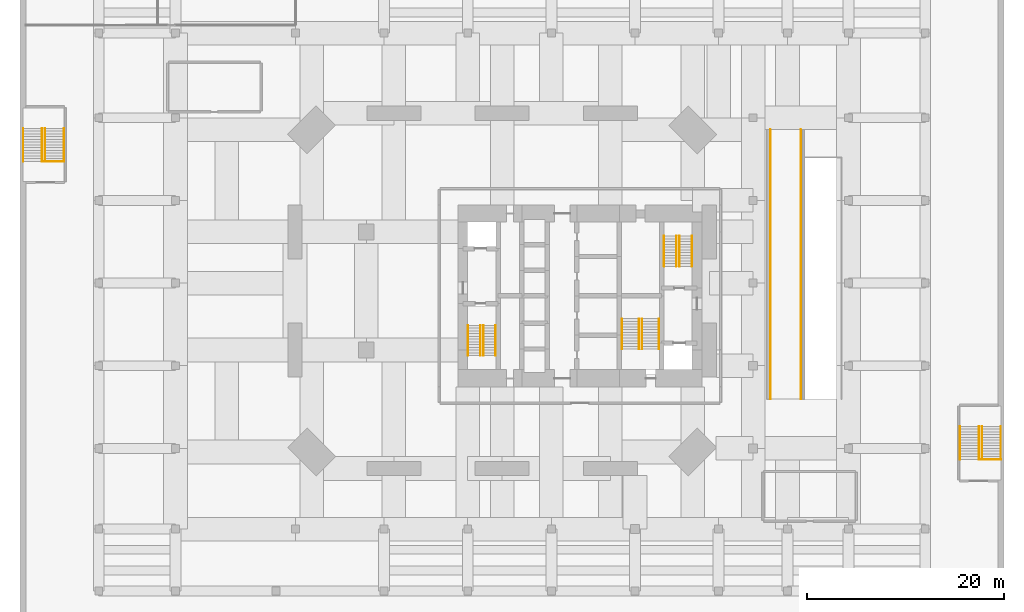
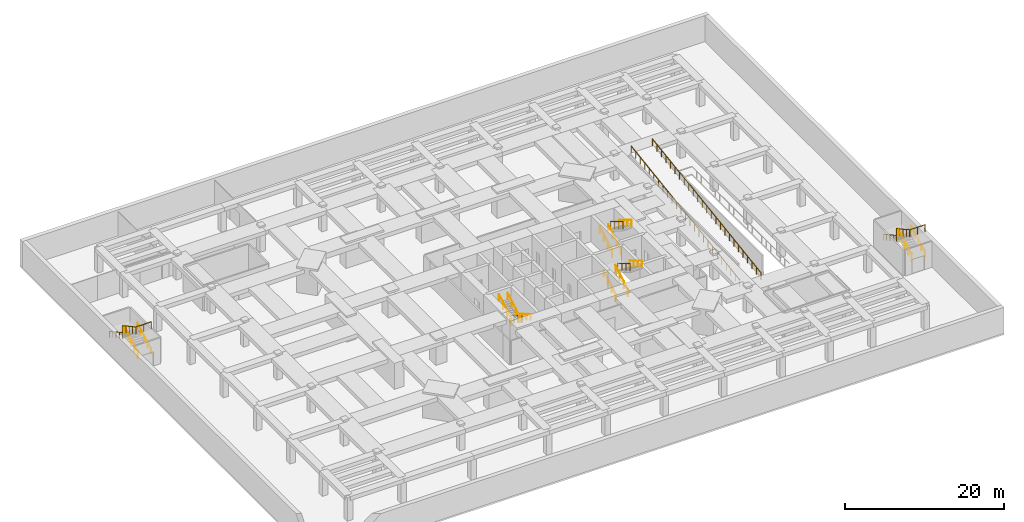
# One storey, part 9 of 10: 24 railings.
"""IFC4 building model written with IfcOpenShell, lengths in metres."""

from ifc_helpers import new_model, si_unit, direction, frame, origin, origin_2d, place, context, subcontext, project, spatial, rectangle, circle, extrude, material, constituent, constituent_set, type_object, element, save


model = new_model("IFC4")

# Units and contexts
model_context = context("Model", 3, precision=1e-05, world=origin(), true_north=direction((0.0, 1.0)))
body_context = subcontext(model_context, "Body", "Model", "MODEL_VIEW")
ifc_project = project(units=[si_unit("LENGTHUNIT", "METRE"), si_unit("AREAUNIT", "SQUARE_METRE"), si_unit("VOLUMEUNIT", "CUBIC_METRE"), si_unit("PLANEANGLEUNIT", "RADIAN"), si_unit("MASSUNIT", "GRAM", prefix="KILO")], contexts=[model_context])

# Site, building, storey
site_placement = place(None, origin())
site = spatial("IfcSite", under=ifc_project, at=site_placement, CompositionType="ELEMENT")
building_placement = place(site_placement, origin())
building = spatial("IfcBuilding", under=site, at=building_placement, Name="Jalousie Tower", CompositionType="ELEMENT")
storey_placement = place(building_placement, frame((0.0, 0.0, -4.0)))
storey = spatial("IfcBuildingStorey", under=building, at=storey_placement, Name="B1", CompositionType="ELEMENT", Elevation=-4.0)

# Railings
ifc_material_1 = material(Name="Steel ASTM A500 Grade C", Category="steel")
ifc_constituent_1 = constituent(ifc_material_1, Name="Body")
ifc_material_2 = material(Name="Hot-dip galvanised zinc coating")
ifc_constituent_2 = constituent(ifc_material_2, Name="Finish")
ifc_constituent_set_1 = constituent_set(constituents=[ifc_constituent_1, ifc_constituent_2])
railing_type_1 = type_object("IfcRailingType", Name="RAMP GUARD 1100", PredefinedType="GUARDRAIL", material=ifc_constituent_set_1)
railing_1_placement = place(storey_placement, frame((51.25, 8.0, 0.0)))
element("IfcRailing", 1, at=railing_1_placement, inside=storey, type_object=railing_type_1, Name="Car ramp 1 edge guard west", PredefinedType="GUARDRAIL", context=body_context, shape_type="SweptSolid", body=[
    extrude(rectangle(XDim=0.048095703125, YDim=0.048095703125, at=origin_2d()), frame((0.0, 0.0, 1.076171875), z_axis=(0.0, 0.989511409472, 0.144454735212), x_axis=(-1.0, 0.0, 0.0)), (0.0, 0.0, 1.0), 27.6904296875),
    extrude(circle(Radius=0.02099609375, at=origin_2d()), origin(), (0.0, 0.0, 1.0), 1.052001953125),
    extrude(circle(Radius=0.02099609375, at=origin_2d()), frame((0.0, 1.1416015625, 0.166748046875)), (0.0, 0.0, 1.0), 1.052001953125),
    extrude(circle(Radius=0.02099609375, at=origin_2d()), frame((0.0, 2.283203125, 0.333251953125)), (0.0, 0.0, 1.0), 1.052001953125),
    extrude(circle(Radius=0.02099609375, at=origin_2d()), frame((0.0, 3.425048828125, 0.5)), (0.0, 0.0, 1.0), 1.052001953125),
    extrude(circle(Radius=0.02099609375, at=origin_2d()), frame((0.0, 4.566650390625, 0.666748046875)), (0.0, 0.0, 1.0), 1.052001953125),
    extrude(circle(Radius=0.02099609375, at=origin_2d()), frame((0.0, 5.708251953125, 0.833251953125)), (0.0, 0.0, 1.0), 1.052001953125),
    extrude(circle(Radius=0.02099609375, at=origin_2d()), frame((0.0, 6.85009765625, 1.0)), (0.0, 0.0, 1.0), 1.052001953125),
    extrude(circle(Radius=0.02099609375, at=origin_2d()), frame((0.0, 7.99169921875, 1.166748046875)), (0.0, 0.0, 1.0), 1.052001953125),
    extrude(circle(Radius=0.02099609375, at=origin_2d()), frame((0.0, 9.13330078125, 1.333251953125)), (0.0, 0.0, 1.0), 1.052001953125),
    extrude(circle(Radius=0.02099609375, at=origin_2d()), frame((0.0, 10.27490234375, 1.5)), (0.0, 0.0, 1.0), 1.052001953125),
    extrude(circle(Radius=0.02099609375, at=origin_2d()), frame((0.0, 11.41650390625, 1.666748046875)), (0.0, 0.0, 1.0), 1.052001953125),
    extrude(circle(Radius=0.02099609375, at=origin_2d()), frame((0.0, 12.558349609375, 1.833251953125)), (0.0, 0.0, 1.0), 1.052001953125),
    extrude(circle(Radius=0.02099609375, at=origin_2d()), frame((0.0, 13.699951171875, 2.0)), (0.0, 0.0, 1.0), 1.052001953125),
    extrude(circle(Radius=0.02099609375, at=origin_2d()), frame((0.0, 14.841552734375, 2.166748046875)), (0.0, 0.0, 1.0), 1.052001953125),
    extrude(circle(Radius=0.02099609375, at=origin_2d()), frame((0.0, 15.9833984375, 2.333251953125)), (0.0, 0.0, 1.0), 1.052001953125),
    extrude(circle(Radius=0.02099609375, at=origin_2d()), frame((0.0, 17.125, 2.5)), (0.0, 0.0, 1.0), 1.052001953125),
    extrude(circle(Radius=0.02099609375, at=origin_2d()), frame((0.0, 18.2666015625, 2.666748046875)), (0.0, 0.0, 1.0), 1.052001953125),
    extrude(circle(Radius=0.02099609375, at=origin_2d()), frame((0.0, 19.408203125, 2.833251953125)), (0.0, 0.0, 1.0), 1.052001953125),
    extrude(circle(Radius=0.02099609375, at=origin_2d()), frame((0.0, 20.5498046875, 3.0)), (0.0, 0.0, 1.0), 1.052001953125),
    extrude(circle(Radius=0.02099609375, at=origin_2d()), frame((0.0, 21.691650390625, 3.166748046875)), (0.0, 0.0, 1.0), 1.052001953125),
    extrude(circle(Radius=0.02099609375, at=origin_2d()), frame((0.0, 22.833251953125, 3.333251953125)), (0.0, 0.0, 1.0), 1.052001953125),
    extrude(circle(Radius=0.02099609375, at=origin_2d()), frame((0.0, 23.974853515625, 3.5)), (0.0, 0.0, 1.0), 1.052001953125),
    extrude(circle(Radius=0.02099609375, at=origin_2d()), frame((0.0, 25.11669921875, 3.666748046875)), (0.0, 0.0, 1.0), 1.052001953125),
    extrude(circle(Radius=0.02099609375, at=origin_2d()), frame((0.0, 26.25830078125, 3.833251953125)), (0.0, 0.0, 1.0), 1.052001953125),
    extrude(circle(Radius=0.02099609375, at=origin_2d()), frame((0.0, 27.39990234375, 4.0)), (0.0, 0.0, 1.0), 1.052001953125),
])
railing_2_placement = place(storey_placement, frame((54.35009765625, 8.0, 0.0)))
element("IfcRailing", 2, at=railing_2_placement, inside=storey, type_object=railing_type_1, Name="Car ramp 1 edge guard east", PredefinedType="GUARDRAIL", context=body_context, shape_type="SweptSolid", body=[
    extrude(rectangle(XDim=0.048095703125, YDim=0.048095703125, at=origin_2d()), frame((0.0, 0.0, 1.076171875), z_axis=(0.0, 0.989511409472, 0.144454735212), x_axis=(-1.0, 0.0, 0.0)), (0.0, 0.0, 1.0), 27.6904296875),
    extrude(circle(Radius=0.02099609375, at=origin_2d()), origin(), (0.0, 0.0, 1.0), 1.052001953125),
    extrude(circle(Radius=0.02099609375, at=origin_2d()), frame((0.0, 1.1416015625, 0.166748046875)), (0.0, 0.0, 1.0), 1.052001953125),
    extrude(circle(Radius=0.02099609375, at=origin_2d()), frame((0.0, 2.283203125, 0.333251953125)), (0.0, 0.0, 1.0), 1.052001953125),
    extrude(circle(Radius=0.02099609375, at=origin_2d()), frame((0.0, 3.425048828125, 0.5)), (0.0, 0.0, 1.0), 1.052001953125),
    extrude(circle(Radius=0.02099609375, at=origin_2d()), frame((0.0, 4.566650390625, 0.666748046875)), (0.0, 0.0, 1.0), 1.052001953125),
    extrude(circle(Radius=0.02099609375, at=origin_2d()), frame((0.0, 5.708251953125, 0.833251953125)), (0.0, 0.0, 1.0), 1.052001953125),
    extrude(circle(Radius=0.02099609375, at=origin_2d()), frame((0.0, 6.85009765625, 1.0)), (0.0, 0.0, 1.0), 1.052001953125),
    extrude(circle(Radius=0.02099609375, at=origin_2d()), frame((0.0, 7.99169921875, 1.166748046875)), (0.0, 0.0, 1.0), 1.052001953125),
    extrude(circle(Radius=0.02099609375, at=origin_2d()), frame((0.0, 9.13330078125, 1.333251953125)), (0.0, 0.0, 1.0), 1.052001953125),
    extrude(circle(Radius=0.02099609375, at=origin_2d()), frame((0.0, 10.27490234375, 1.5)), (0.0, 0.0, 1.0), 1.052001953125),
    extrude(circle(Radius=0.02099609375, at=origin_2d()), frame((0.0, 11.41650390625, 1.666748046875)), (0.0, 0.0, 1.0), 1.052001953125),
    extrude(circle(Radius=0.02099609375, at=origin_2d()), frame((0.0, 12.558349609375, 1.833251953125)), (0.0, 0.0, 1.0), 1.052001953125),
    extrude(circle(Radius=0.02099609375, at=origin_2d()), frame((0.0, 13.699951171875, 2.0)), (0.0, 0.0, 1.0), 1.052001953125),
    extrude(circle(Radius=0.02099609375, at=origin_2d()), frame((0.0, 14.841552734375, 2.166748046875)), (0.0, 0.0, 1.0), 1.052001953125),
    extrude(circle(Radius=0.02099609375, at=origin_2d()), frame((0.0, 15.9833984375, 2.333251953125)), (0.0, 0.0, 1.0), 1.052001953125),
    extrude(circle(Radius=0.02099609375, at=origin_2d()), frame((0.0, 17.125, 2.5)), (0.0, 0.0, 1.0), 1.052001953125),
    extrude(circle(Radius=0.02099609375, at=origin_2d()), frame((0.0, 18.2666015625, 2.666748046875)), (0.0, 0.0, 1.0), 1.052001953125),
    extrude(circle(Radius=0.02099609375, at=origin_2d()), frame((0.0, 19.408203125, 2.833251953125)), (0.0, 0.0, 1.0), 1.052001953125),
    extrude(circle(Radius=0.02099609375, at=origin_2d()), frame((0.0, 20.5498046875, 3.0)), (0.0, 0.0, 1.0), 1.052001953125),
    extrude(circle(Radius=0.02099609375, at=origin_2d()), frame((0.0, 21.691650390625, 3.166748046875)), (0.0, 0.0, 1.0), 1.052001953125),
    extrude(circle(Radius=0.02099609375, at=origin_2d()), frame((0.0, 22.833251953125, 3.333251953125)), (0.0, 0.0, 1.0), 1.052001953125),
    extrude(circle(Radius=0.02099609375, at=origin_2d()), frame((0.0, 23.974853515625, 3.5)), (0.0, 0.0, 1.0), 1.052001953125),
    extrude(circle(Radius=0.02099609375, at=origin_2d()), frame((0.0, 25.11669921875, 3.666748046875)), (0.0, 0.0, 1.0), 1.052001953125),
    extrude(circle(Radius=0.02099609375, at=origin_2d()), frame((0.0, 26.25830078125, 3.833251953125)), (0.0, 0.0, 1.0), 1.052001953125),
    extrude(circle(Radius=0.02099609375, at=origin_2d()), frame((0.0, 27.39990234375, 4.0)), (0.0, 0.0, 1.0), 1.052001953125),
])
ifc_material_3 = material(Name="Steel ASTM A500 Grade C", Category="steel")
ifc_constituent_3 = constituent(ifc_material_3, Name="Body")
ifc_material_4 = material(Name="Hot-dip galvanised zinc coating")
ifc_constituent_4 = constituent(ifc_material_4, Name="Finish")
ifc_constituent_set_2 = constituent_set(constituents=[ifc_constituent_3, ifc_constituent_4])
railing_type_2 = type_object("IfcRailingType", Name="STAIR GUARD 1100", PredefinedType="GUARDRAIL", material=ifc_constituent_set_2)
railing_3_placement = place(storey_placement, frame((22.092529296875, 15.49755859375, 0.166748046875)))
element("IfcRailing", 3, at=railing_3_placement, inside=storey, type_object=railing_type_2, Name="Exit stair A guard B1 flight 1", PredefinedType="GUARDRAIL", context=body_context, shape_type="SweptSolid", body=[
    extrude(rectangle(XDim=0.048095703125, YDim=0.048095703125, at=origin_2d()), frame((0.0, 0.0, 1.076171875), z_axis=(0.0, -0.859308565015, 0.511457515432), x_axis=(1.0, 0.0, 0.0)), (0.0, 0.0, 1.0), 3.58447265625),
    extrude(circle(Radius=0.02099609375, at=origin_2d()), origin(), (0.0, 0.0, 1.0), 1.052001953125),
    extrude(circle(Radius=0.02099609375, at=origin_2d()), frame((0.0, -1.026611328125, 0.611083984375)), (0.0, 0.0, 1.0), 1.052001953125),
    extrude(circle(Radius=0.02099609375, at=origin_2d()), frame((0.0, -2.053466796875, 1.22216796875)), (0.0, 0.0, 1.0), 1.052001953125),
    extrude(circle(Radius=0.02099609375, at=origin_2d()), frame((0.0, -3.080078125, 1.833251953125)), (0.0, 0.0, 1.0), 1.052001953125),
])
for number, where, name in (
    (4, (20.52978515625, 12.41748046875, 2.166748046875), "Exit stair A guard B1 flight 2"),
    (5, (40.455078125, 21.50244140625, 0.166748046875), "Exit stair B guard B1 flight 1"),
):
    element("IfcRailing", number, at=place(storey_placement, frame(where)), inside=storey, type_object=railing_type_2, Name=name, PredefinedType="GUARDRAIL", context=body_context, shape_type="SweptSolid", body=[
        extrude(rectangle(XDim=0.048095703125, YDim=0.048095703125, at=origin_2d()), frame((0.0, 0.0, 1.076171875), z_axis=(0.0, 0.859308565015, 0.511457515432), x_axis=(-1.0, 0.0, 0.0)), (0.0, 0.0, 1.0), 3.58447265625),
        extrude(circle(Radius=0.02099609375, at=origin_2d()), origin(), (0.0, 0.0, 1.0), 1.052001953125),
        extrude(circle(Radius=0.02099609375, at=origin_2d()), frame((0.0, 1.026611328125, 0.611083984375)), (0.0, 0.0, 1.0), 1.052001953125),
        extrude(circle(Radius=0.02099609375, at=origin_2d()), frame((0.0, 2.053466796875, 1.22216796875)), (0.0, 0.0, 1.0), 1.052001953125),
        extrude(circle(Radius=0.02099609375, at=origin_2d()), frame((0.0, 3.080078125, 1.833251953125)), (0.0, 0.0, 1.0), 1.052001953125),
    ])
railing_4_placement = place(storey_placement, frame((42.017578125, 24.58251953125, 2.166748046875)))
element("IfcRailing", 6, at=railing_4_placement, inside=storey, type_object=railing_type_2, Name="Exit stair B guard B1 flight 2", PredefinedType="GUARDRAIL", context=body_context, shape_type="SweptSolid", body=[
    extrude(rectangle(XDim=0.048095703125, YDim=0.048095703125, at=origin_2d()), frame((0.0, 0.0, 1.076171875), z_axis=(0.0, -0.859308565015, 0.511457515432), x_axis=(1.0, 0.0, 0.0)), (0.0, 0.0, 1.0), 3.58447265625),
    extrude(circle(Radius=0.02099609375, at=origin_2d()), origin(), (0.0, 0.0, 1.0), 1.052001953125),
    extrude(circle(Radius=0.02099609375, at=origin_2d()), frame((0.0, -1.026611328125, 0.611083984375)), (0.0, 0.0, 1.0), 1.052001953125),
    extrude(circle(Radius=0.02099609375, at=origin_2d()), frame((0.0, -2.053466796875, 1.22216796875)), (0.0, 0.0, 1.0), 1.052001953125),
    extrude(circle(Radius=0.02099609375, at=origin_2d()), frame((0.0, -3.080078125, 1.833251953125)), (0.0, 0.0, 1.0), 1.052001953125),
])
railing_5_placement = place(storey_placement, frame((37.89501953125, 13.097412109375, 0.166748046875)))
element("IfcRailing", 7, at=railing_5_placement, inside=storey, type_object=railing_type_2, Name="Exit stair C guard B1 flight 1", PredefinedType="GUARDRAIL", context=body_context, shape_type="SweptSolid", body=[
    extrude(rectangle(XDim=0.048095703125, YDim=0.048095703125, at=origin_2d()), frame((0.0, 0.0, 1.076171875), z_axis=(0.0, 0.859308565015, 0.511457515432), x_axis=(-1.0, 0.0, 0.0)), (0.0, 0.0, 1.0), 3.58447265625),
    extrude(circle(Radius=0.02099609375, at=origin_2d()), origin(), (0.0, 0.0, 1.0), 1.052001953125),
    extrude(circle(Radius=0.02099609375, at=origin_2d()), frame((0.0, 1.026611328125, 0.611083984375)), (0.0, 0.0, 1.0), 1.052001953125),
    extrude(circle(Radius=0.02099609375, at=origin_2d()), frame((0.0, 2.053466796875, 1.22216796875)), (0.0, 0.0, 1.0), 1.052001953125),
    extrude(circle(Radius=0.02099609375, at=origin_2d()), frame((0.0, 3.080078125, 1.833251953125)), (0.0, 0.0, 1.0), 1.052001953125),
])
railing_6_placement = place(storey_placement, frame((38.205078125, 16.177490234375, 2.166748046875)))
element("IfcRailing", 8, at=railing_6_placement, inside=storey, type_object=railing_type_2, Name="Exit stair C guard B1 flight 2", PredefinedType="GUARDRAIL", context=body_context, shape_type="SweptSolid", body=[
    extrude(rectangle(XDim=0.048095703125, YDim=0.048095703125, at=origin_2d()), frame((0.0, 0.0, 1.076171875), z_axis=(0.0, -0.859308565015, 0.511457515432), x_axis=(1.0, 0.0, 0.0)), (0.0, 0.0, 1.0), 3.58447265625),
    extrude(circle(Radius=0.02099609375, at=origin_2d()), origin(), (0.0, 0.0, 1.0), 1.052001953125),
    extrude(circle(Radius=0.02099609375, at=origin_2d()), frame((0.0, -1.026611328125, 0.611083984375)), (0.0, 0.0, 1.0), 1.052001953125),
    extrude(circle(Radius=0.02099609375, at=origin_2d()), frame((0.0, -2.053466796875, 1.22216796875)), (0.0, 0.0, 1.0), 1.052001953125),
    extrude(circle(Radius=0.02099609375, at=origin_2d()), frame((0.0, -3.080078125, 1.833251953125)), (0.0, 0.0, 1.0), 1.052001953125),
])
railing_7_placement = place(storey_placement, frame((-20.5, 32.169921875, 4.0)))
element("IfcRailing", 9, at=railing_7_placement, inside=storey, type_object=railing_type_2, Name="Exit stair BS1 top landing guard", PredefinedType="GUARDRAIL", context=body_context, shape_type="SweptSolid", body=[
    extrude(rectangle(XDim=0.048095703125, YDim=0.048095703125, at=origin_2d()), frame((0.0, 0.0, 1.076171875), z_axis=(-1.0, 0.0, 0.0), x_axis=(0.0, -1.0, 0.0)), (0.0, 0.0, 1.0), 2.22509765625),
    extrude(circle(Radius=0.02099609375, at=origin_2d()), origin(), (0.0, 0.0, 1.0), 1.052001953125),
    extrude(circle(Radius=0.02099609375, at=origin_2d()), frame((-1.112548828125, 0.0, 0.0)), (0.0, 0.0, 1.0), 1.052001953125),
    extrude(circle(Radius=0.02099609375, at=origin_2d()), frame((-2.22509765625, 0.0, 0.0)), (0.0, 0.0, 1.0), 1.052001953125),
])
railing_8_placement = place(storey_placement, frame((-22.445068359375, 32.169921875, 0.15380859375)))
element("IfcRailing", 10, at=railing_8_placement, inside=storey, type_object=railing_type_2, Name="Exit stair BS1 guard B1 flight 1", PredefinedType="GUARDRAIL", context=body_context, shape_type="SweptSolid", body=[
    extrude(rectangle(XDim=0.048095703125, YDim=0.048095703125, at=origin_2d()), frame((0.0, 0.0, 1.076171875), z_axis=(0.0, 0.876421534553, 0.481544695509), x_axis=(-1.0, 0.0, 0.0)), (0.0, 0.0, 1.0), 3.833984375),
    extrude(circle(Radius=0.02099609375, at=origin_2d()), origin(), (0.0, 0.0, 1.0), 1.052001953125),
    extrude(circle(Radius=0.02099609375, at=origin_2d()), frame((0.0, 0.840087890625, 0.46142578125)), (0.0, 0.0, 1.0), 1.052001953125),
    extrude(circle(Radius=0.02099609375, at=origin_2d()), frame((0.0, 1.68017578125, 0.923095703125)), (0.0, 0.0, 1.0), 1.052001953125),
    extrude(circle(Radius=0.02099609375, at=origin_2d()), frame((0.0, 2.52001953125, 1.384765625)), (0.0, 0.0, 1.0), 1.052001953125),
    extrude(circle(Radius=0.02099609375, at=origin_2d()), frame((0.0, 3.360107421875, 1.84619140625)), (0.0, 0.0, 1.0), 1.052001953125),
])
railing_9_placement = place(storey_placement, frame((-22.7548828125, 35.530029296875, 2.15380859375)))
element("IfcRailing", 11, at=railing_9_placement, inside=storey, type_object=railing_type_2, Name="Exit stair BS1 guard B1 flight 2", PredefinedType="GUARDRAIL", context=body_context, shape_type="SweptSolid", body=[
    extrude(rectangle(XDim=0.048095703125, YDim=0.048095703125, at=origin_2d()), frame((0.0, 0.0, 1.076171875), z_axis=(0.0, -0.876421534553, 0.481544695509), x_axis=(1.0, 0.0, 0.0)), (0.0, 0.0, 1.0), 3.833984375),
    extrude(circle(Radius=0.02099609375, at=origin_2d()), origin(), (0.0, 0.0, 1.0), 1.052001953125),
    extrude(circle(Radius=0.02099609375, at=origin_2d()), frame((0.0, -0.840087890625, 0.46142578125)), (0.0, 0.0, 1.0), 1.052001953125),
    extrude(circle(Radius=0.02099609375, at=origin_2d()), frame((0.0, -1.68017578125, 0.923095703125)), (0.0, 0.0, 1.0), 1.052001953125),
    extrude(circle(Radius=0.02099609375, at=origin_2d()), frame((0.0, -2.52001953125, 1.384765625)), (0.0, 0.0, 1.0), 1.052001953125),
    extrude(circle(Radius=0.02099609375, at=origin_2d()), frame((0.0, -3.360107421875, 1.84619140625)), (0.0, 0.0, 1.0), 1.052001953125),
])
railing_10_placement = place(storey_placement, frame((74.699951171875, 1.8701171875, 4.0)))
element("IfcRailing", 12, at=railing_10_placement, inside=storey, type_object=railing_type_2, Name="Exit stair BS2 top landing guard", PredefinedType="GUARDRAIL", context=body_context, shape_type="SweptSolid", body=[
    extrude(rectangle(XDim=0.048095703125, YDim=0.048095703125, at=origin_2d()), frame((0.0, 0.0, 1.076171875), z_axis=(-1.0, 0.0, 0.0), x_axis=(0.0, -1.0, 0.0)), (0.0, 0.0, 1.0), 2.224853515625),
    extrude(circle(Radius=0.02099609375, at=origin_2d()), origin(), (0.0, 0.0, 1.0), 1.052001953125),
    extrude(circle(Radius=0.02099609375, at=origin_2d()), frame((-1.1123046875, 0.0, 0.0)), (0.0, 0.0, 1.0), 1.052001953125),
    extrude(circle(Radius=0.02099609375, at=origin_2d()), frame((-2.224853515625, 0.0, 0.0)), (0.0, 0.0, 1.0), 1.052001953125),
])
railing_11_placement = place(storey_placement, frame((72.7548828125, 1.8701171875, 0.15380859375)))
element("IfcRailing", 13, at=railing_11_placement, inside=storey, type_object=railing_type_2, Name="Exit stair BS2 guard B1 flight 1", PredefinedType="GUARDRAIL", context=body_context, shape_type="SweptSolid", body=[
    extrude(rectangle(XDim=0.048095703125, YDim=0.048095703125, at=origin_2d()), frame((0.0, 0.0, 1.076171875), z_axis=(0.0, 0.876406766967, 0.48157157185), x_axis=(-1.0, 0.0, 0.0)), (0.0, 0.0, 1.0), 3.833740234375),
    extrude(circle(Radius=0.02099609375, at=origin_2d()), origin(), (0.0, 0.0, 1.0), 1.052001953125),
    extrude(circle(Radius=0.02099609375, at=origin_2d()), frame((0.0, 0.83984375, 0.46142578125)), (0.0, 0.0, 1.0), 1.052001953125),
    extrude(circle(Radius=0.02099609375, at=origin_2d()), frame((0.0, 1.679931640625, 0.923095703125)), (0.0, 0.0, 1.0), 1.052001953125),
    extrude(circle(Radius=0.02099609375, at=origin_2d()), frame((0.0, 2.52001953125, 1.384765625)), (0.0, 0.0, 1.0), 1.052001953125),
    extrude(circle(Radius=0.02099609375, at=origin_2d()), frame((0.0, 3.35986328125, 1.84619140625)), (0.0, 0.0, 1.0), 1.052001953125),
])
railing_12_placement = place(storey_placement, frame((72.445068359375, 5.22998046875, 2.15380859375)))
element("IfcRailing", 14, at=railing_12_placement, inside=storey, type_object=railing_type_2, Name="Exit stair BS2 guard B1 flight 2", PredefinedType="GUARDRAIL", context=body_context, shape_type="SweptSolid", body=[
    extrude(rectangle(XDim=0.048095703125, YDim=0.048095703125, at=origin_2d()), frame((0.0, 0.0, 1.076171875), z_axis=(0.0, -0.876406766967, 0.48157157185), x_axis=(1.0, 0.0, 0.0)), (0.0, 0.0, 1.0), 3.833740234375),
    extrude(circle(Radius=0.02099609375, at=origin_2d()), origin(), (0.0, 0.0, 1.0), 1.052001953125),
    extrude(circle(Radius=0.02099609375, at=origin_2d()), frame((0.0, -0.83984375, 0.46142578125)), (0.0, 0.0, 1.0), 1.052001953125),
    extrude(circle(Radius=0.02099609375, at=origin_2d()), frame((0.0, -1.679931640625, 0.923095703125)), (0.0, 0.0, 1.0), 1.052001953125),
    extrude(circle(Radius=0.02099609375, at=origin_2d()), frame((0.0, -2.52001953125, 1.384765625)), (0.0, 0.0, 1.0), 1.052001953125),
    extrude(circle(Radius=0.02099609375, at=origin_2d()), frame((0.0, -3.35986328125, 1.84619140625)), (0.0, 0.0, 1.0), 1.052001953125),
])
ifc_material_5 = material(Name="Steel ASTM A500 Grade C", Category="steel")
ifc_constituent_5 = constituent(ifc_material_5, Name="Body")
ifc_material_6 = material(Name="Hot-dip galvanised zinc coating")
ifc_constituent_6 = constituent(ifc_material_6, Name="Finish")
ifc_constituent_set_3 = constituent_set(constituents=[ifc_constituent_5, ifc_constituent_6])
railing_type_3 = type_object("IfcRailingType", Name="STAIR HANDRAIL 900", PredefinedType="HANDRAIL", material=ifc_constituent_set_3)
railing_13_placement = place(storey_placement, frame((23.34521484375, 15.49755859375, 0.166748046875)))
element("IfcRailing", 15, at=railing_13_placement, inside=storey, type_object=railing_type_3, Name="Exit stair A handrail B1 flight 1", PredefinedType="HANDRAIL", context=body_context, shape_type="SweptSolid", body=[
    extrude(circle(Radius=0.02392578125, at=origin_2d()), frame((0.0, 0.0, 0.8759765625), z_axis=(0.0, -0.859308565015, 0.511457515432), x_axis=(1.0, 0.0, 0.0)), (0.0, 0.0, 1.0), 3.58447265625),
    extrude(circle(Radius=0.02099609375, at=origin_2d()), origin(), (0.0, 0.0, 1.0), 0.851806640625),
    extrude(circle(Radius=0.02099609375, at=origin_2d()), frame((0.0, -1.026611328125, 0.611083984375)), (0.0, 0.0, 1.0), 0.851806640625),
    extrude(circle(Radius=0.02099609375, at=origin_2d()), frame((0.0, -2.053466796875, 1.22216796875)), (0.0, 0.0, 1.0), 0.851806640625),
    extrude(circle(Radius=0.02099609375, at=origin_2d()), frame((0.0, -3.080078125, 1.833251953125)), (0.0, 0.0, 1.0), 0.851806640625),
])
for number, where, name in (
    (16, (21.782470703125, 12.41748046875, 2.166748046875), "Exit stair A handrail B1 flight 2"),
    (17, (41.70751953125, 21.50244140625, 0.166748046875), "Exit stair B handrail B1 flight 1"),
):
    element("IfcRailing", number, at=place(storey_placement, frame(where)), inside=storey, type_object=railing_type_3, Name=name, PredefinedType="HANDRAIL", context=body_context, shape_type="SweptSolid", body=[
        extrude(circle(Radius=0.02392578125, at=origin_2d()), frame((0.0, 0.0, 0.8759765625), z_axis=(0.0, 0.859308565015, 0.511457515432), x_axis=(-1.0, 0.0, 0.0)), (0.0, 0.0, 1.0), 3.58447265625),
        extrude(circle(Radius=0.02099609375, at=origin_2d()), origin(), (0.0, 0.0, 1.0), 0.851806640625),
        extrude(circle(Radius=0.02099609375, at=origin_2d()), frame((0.0, 1.026611328125, 0.611083984375)), (0.0, 0.0, 1.0), 0.851806640625),
        extrude(circle(Radius=0.02099609375, at=origin_2d()), frame((0.0, 2.053466796875, 1.22216796875)), (0.0, 0.0, 1.0), 0.851806640625),
        extrude(circle(Radius=0.02099609375, at=origin_2d()), frame((0.0, 3.080078125, 1.833251953125)), (0.0, 0.0, 1.0), 0.851806640625),
    ])
railing_14_placement = place(storey_placement, frame((43.27001953125, 24.58251953125, 2.166748046875)))
element("IfcRailing", 18, at=railing_14_placement, inside=storey, type_object=railing_type_3, Name="Exit stair B handrail B1 flight 2", PredefinedType="HANDRAIL", context=body_context, shape_type="SweptSolid", body=[
    extrude(circle(Radius=0.02392578125, at=origin_2d()), frame((0.0, 0.0, 0.8759765625), z_axis=(0.0, -0.859308565015, 0.511457515432), x_axis=(1.0, 0.0, 0.0)), (0.0, 0.0, 1.0), 3.58447265625),
    extrude(circle(Radius=0.02099609375, at=origin_2d()), origin(), (0.0, 0.0, 1.0), 0.851806640625),
    extrude(circle(Radius=0.02099609375, at=origin_2d()), frame((0.0, -1.026611328125, 0.611083984375)), (0.0, 0.0, 1.0), 0.851806640625),
    extrude(circle(Radius=0.02099609375, at=origin_2d()), frame((0.0, -2.053466796875, 1.22216796875)), (0.0, 0.0, 1.0), 0.851806640625),
    extrude(circle(Radius=0.02099609375, at=origin_2d()), frame((0.0, -3.080078125, 1.833251953125)), (0.0, 0.0, 1.0), 0.851806640625),
])
railing_15_placement = place(storey_placement, frame((36.155029296875, 13.097412109375, 0.166748046875)))
element("IfcRailing", 19, at=railing_15_placement, inside=storey, type_object=railing_type_3, Name="Exit stair C handrail B1 flight 1", PredefinedType="HANDRAIL", context=body_context, shape_type="SweptSolid", body=[
    extrude(circle(Radius=0.02392578125, at=origin_2d()), frame((0.0, 0.0, 0.8759765625), z_axis=(0.0, 0.859308565015, 0.511457515432), x_axis=(-1.0, 0.0, 0.0)), (0.0, 0.0, 1.0), 3.58447265625),
    extrude(circle(Radius=0.02099609375, at=origin_2d()), origin(), (0.0, 0.0, 1.0), 0.851806640625),
    extrude(circle(Radius=0.02099609375, at=origin_2d()), frame((0.0, 1.026611328125, 0.611083984375)), (0.0, 0.0, 1.0), 0.851806640625),
    extrude(circle(Radius=0.02099609375, at=origin_2d()), frame((0.0, 2.053466796875, 1.22216796875)), (0.0, 0.0, 1.0), 0.851806640625),
    extrude(circle(Radius=0.02099609375, at=origin_2d()), frame((0.0, 3.080078125, 1.833251953125)), (0.0, 0.0, 1.0), 0.851806640625),
])
railing_16_placement = place(storey_placement, frame((39.945068359375, 16.177490234375, 2.166748046875)))
element("IfcRailing", 20, at=railing_16_placement, inside=storey, type_object=railing_type_3, Name="Exit stair C handrail B1 flight 2", PredefinedType="HANDRAIL", context=body_context, shape_type="SweptSolid", body=[
    extrude(circle(Radius=0.02392578125, at=origin_2d()), frame((0.0, 0.0, 0.8759765625), z_axis=(0.0, -0.859308565015, 0.511457515432), x_axis=(1.0, 0.0, 0.0)), (0.0, 0.0, 1.0), 3.58447265625),
    extrude(circle(Radius=0.02099609375, at=origin_2d()), origin(), (0.0, 0.0, 1.0), 0.851806640625),
    extrude(circle(Radius=0.02099609375, at=origin_2d()), frame((0.0, -1.026611328125, 0.611083984375)), (0.0, 0.0, 1.0), 0.851806640625),
    extrude(circle(Radius=0.02099609375, at=origin_2d()), frame((0.0, -2.053466796875, 1.22216796875)), (0.0, 0.0, 1.0), 0.851806640625),
    extrude(circle(Radius=0.02099609375, at=origin_2d()), frame((0.0, -3.080078125, 1.833251953125)), (0.0, 0.0, 1.0), 0.851806640625),
])
railing_17_placement = place(storey_placement, frame((-20.530029296875, 32.169921875, 0.15380859375)))
element("IfcRailing", 21, at=railing_17_placement, inside=storey, type_object=railing_type_3, Name="Exit stair BS1 handrail B1 flight 1", PredefinedType="HANDRAIL", context=body_context, shape_type="SweptSolid", body=[
    extrude(circle(Radius=0.02392578125, at=origin_2d()), frame((0.0, 0.0, 0.8759765625), z_axis=(0.0, 0.876421534553, 0.481544695509), x_axis=(-1.0, 0.0, 0.0)), (0.0, 0.0, 1.0), 3.833984375),
    extrude(circle(Radius=0.02099609375, at=origin_2d()), origin(), (0.0, 0.0, 1.0), 0.851806640625),
    extrude(circle(Radius=0.02099609375, at=origin_2d()), frame((0.0, 0.840087890625, 0.46142578125)), (0.0, 0.0, 1.0), 0.851806640625),
    extrude(circle(Radius=0.02099609375, at=origin_2d()), frame((0.0, 1.68017578125, 0.923095703125)), (0.0, 0.0, 1.0), 0.851806640625),
    extrude(circle(Radius=0.02099609375, at=origin_2d()), frame((0.0, 2.52001953125, 1.384765625)), (0.0, 0.0, 1.0), 0.851806640625),
    extrude(circle(Radius=0.02099609375, at=origin_2d()), frame((0.0, 3.360107421875, 1.84619140625)), (0.0, 0.0, 1.0), 0.851806640625),
])
railing_18_placement = place(storey_placement, frame((-24.669921875, 35.530029296875, 2.15380859375)))
element("IfcRailing", 22, at=railing_18_placement, inside=storey, type_object=railing_type_3, Name="Exit stair BS1 handrail B1 flight 2", PredefinedType="HANDRAIL", context=body_context, shape_type="SweptSolid", body=[
    extrude(circle(Radius=0.02392578125, at=origin_2d()), frame((0.0, 0.0, 0.8759765625), z_axis=(0.0, -0.876421534553, 0.481544695509), x_axis=(1.0, 0.0, 0.0)), (0.0, 0.0, 1.0), 3.833984375),
    extrude(circle(Radius=0.02099609375, at=origin_2d()), origin(), (0.0, 0.0, 1.0), 0.851806640625),
    extrude(circle(Radius=0.02099609375, at=origin_2d()), frame((0.0, -0.840087890625, 0.46142578125)), (0.0, 0.0, 1.0), 0.851806640625),
    extrude(circle(Radius=0.02099609375, at=origin_2d()), frame((0.0, -1.68017578125, 0.923095703125)), (0.0, 0.0, 1.0), 0.851806640625),
    extrude(circle(Radius=0.02099609375, at=origin_2d()), frame((0.0, -2.52001953125, 1.384765625)), (0.0, 0.0, 1.0), 0.851806640625),
    extrude(circle(Radius=0.02099609375, at=origin_2d()), frame((0.0, -3.360107421875, 1.84619140625)), (0.0, 0.0, 1.0), 0.851806640625),
])
railing_19_placement = place(storey_placement, frame((74.669921875, 1.8701171875, 0.15380859375)))
element("IfcRailing", 23, at=railing_19_placement, inside=storey, type_object=railing_type_3, Name="Exit stair BS2 handrail B1 flight 1", PredefinedType="HANDRAIL", context=body_context, shape_type="SweptSolid", body=[
    extrude(circle(Radius=0.02392578125, at=origin_2d()), frame((0.0, 0.0, 0.8759765625), z_axis=(0.0, 0.876406766967, 0.48157157185), x_axis=(-1.0, 0.0, 0.0)), (0.0, 0.0, 1.0), 3.833740234375),
    extrude(circle(Radius=0.02099609375, at=origin_2d()), origin(), (0.0, 0.0, 1.0), 0.851806640625),
    extrude(circle(Radius=0.02099609375, at=origin_2d()), frame((0.0, 0.83984375, 0.46142578125)), (0.0, 0.0, 1.0), 0.851806640625),
    extrude(circle(Radius=0.02099609375, at=origin_2d()), frame((0.0, 1.679931640625, 0.923095703125)), (0.0, 0.0, 1.0), 0.851806640625),
    extrude(circle(Radius=0.02099609375, at=origin_2d()), frame((0.0, 2.52001953125, 1.384765625)), (0.0, 0.0, 1.0), 0.851806640625),
    extrude(circle(Radius=0.02099609375, at=origin_2d()), frame((0.0, 3.35986328125, 1.84619140625)), (0.0, 0.0, 1.0), 0.851806640625),
])
railing_20_placement = place(storey_placement, frame((70.530029296875, 5.22998046875, 2.15380859375)))
element("IfcRailing", 24, at=railing_20_placement, inside=storey, type_object=railing_type_3, Name="Exit stair BS2 handrail B1 flight 2", PredefinedType="HANDRAIL", context=body_context, shape_type="SweptSolid", body=[
    extrude(circle(Radius=0.02392578125, at=origin_2d()), frame((0.0, 0.0, 0.8759765625), z_axis=(0.0, -0.876406766967, 0.48157157185), x_axis=(1.0, 0.0, 0.0)), (0.0, 0.0, 1.0), 3.833740234375),
    extrude(circle(Radius=0.02099609375, at=origin_2d()), origin(), (0.0, 0.0, 1.0), 0.851806640625),
    extrude(circle(Radius=0.02099609375, at=origin_2d()), frame((0.0, -0.83984375, 0.46142578125)), (0.0, 0.0, 1.0), 0.851806640625),
    extrude(circle(Radius=0.02099609375, at=origin_2d()), frame((0.0, -1.679931640625, 0.923095703125)), (0.0, 0.0, 1.0), 0.851806640625),
    extrude(circle(Radius=0.02099609375, at=origin_2d()), frame((0.0, -2.52001953125, 1.384765625)), (0.0, 0.0, 1.0), 0.851806640625),
    extrude(circle(Radius=0.02099609375, at=origin_2d()), frame((0.0, -3.35986328125, 1.84619140625)), (0.0, 0.0, 1.0), 0.851806640625),
])

save(model, "model.ifc")
